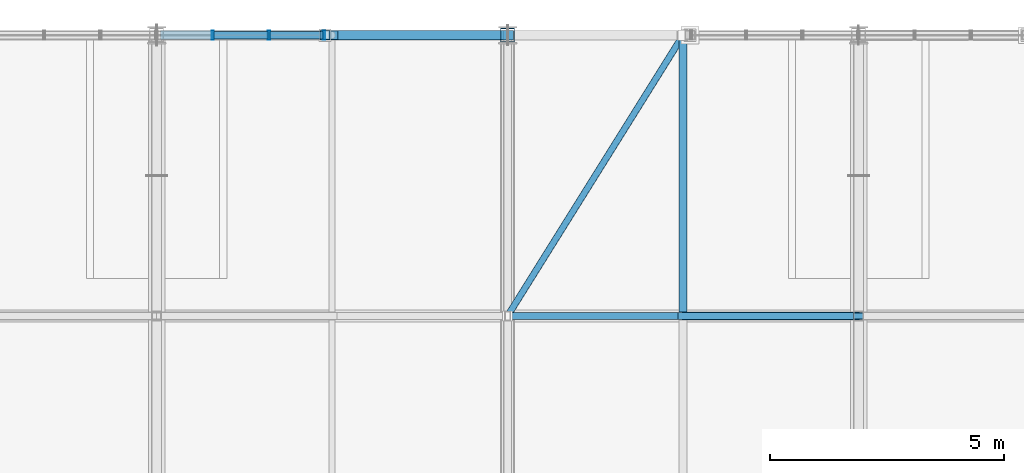
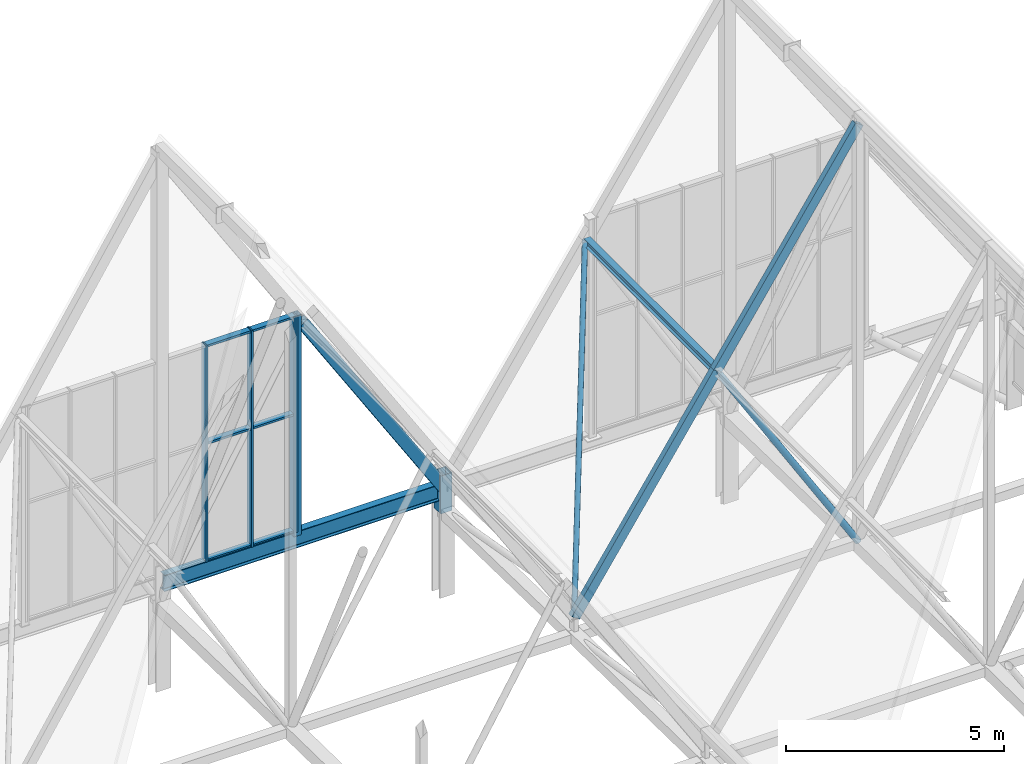
# One storey, part 236 of 324: 16 members, 2 beams, 1 element without a shape of its own.
"""IFC4 building model written with IfcOpenShell, lengths in metres."""

from ifc_helpers import new_model, si_unit, direction, frame, origin, origin_2d, place, context, subcontext, project, spatial, hollow_rectangle, hollow_circle, i_section, extrude, material, layer, layer_set, material_profile, profile_set, type_object, element, aggregate, save


model = new_model("IFC4")

# Units and contexts
model_context = context("Model", 3, precision=1e-05, world=origin(), true_north=direction((0.0, 1.0)))
body_context = subcontext(model_context, "Body", "Model", "MODEL_VIEW")
ifc_project = project(units=[si_unit("LENGTHUNIT", "METRE"), si_unit("AREAUNIT", "SQUARE_METRE"), si_unit("VOLUMEUNIT", "CUBIC_METRE"), si_unit("PLANEANGLEUNIT", "RADIAN"), si_unit("MASSUNIT", "GRAM", prefix="KILO")], contexts=[model_context])

# Site, building, storey
site_placement = place(None, origin())
site = spatial("IfcSite", under=ifc_project, at=site_placement, CompositionType="ELEMENT")
building_placement = place(site_placement, origin())
building = spatial("IfcBuilding", under=site, at=building_placement, Name="Solvenia Promenade Tram Depot", CompositionType="ELEMENT")
storey_placement = place(building_placement, frame((0.0, 0.0, 4.5)))
storey = spatial("IfcBuildingStorey", under=building, at=storey_placement, Name="L01", CompositionType="ELEMENT", Elevation=4.5)

# Curtain wall, members
ifc_material_1 = material(Name="Anodized aluminium AW-6063 T6", Category="aluminium")
ifc_layer = layer(ifc_material_1, 0.14990234375, Name="Anodized aluminium AW-6063 T6", Category="aluminium")
ifc_layer_set = layer_set([ifc_layer], Name="Anodized aluminium AW-6063 T6")
curtain_wall_type = type_object("IfcCurtainWallType", Name="CW-Gable-1200", PredefinedType="NOTDEFINED", material=ifc_layer_set)
curtain_wall_placement = place(storey_placement, origin())
curtain_wall = element("IfcCurtainWall", 1, at=curtain_wall_placement, inside=storey, type_object=curtain_wall_type, Name="North Zigzag Gable 09 Peak Glazing", PredefinedType="NOTDEFINED")
ifc_material_profile_1 = material_profile(ifc_material_1, hollow_rectangle(XDim=0.199951171875, YDim=0.048095703125, WallThickness=0.00390625, at=origin_2d()), Name="ALU-M3", Category="aluminium")
ifc_profile_set_1 = profile_set([ifc_material_profile_1], Name="Anodized aluminium AW-6063 T6")
member_type_1 = type_object("IfcMemberType", Name="CWM-Mullion-3", PredefinedType="MULLION", material=ifc_profile_set_1)
member_1_placement = place(storey_placement, frame((128.699951171875, 126.0, 3.10009765625), z_axis=(0.0, 0.0, 1.0), x_axis=(0.0, 1.0, 0.0)))
member_1 = element("IfcMember", 2, at=member_1_placement, type_object=member_type_1, Name="CW-3 mullion 5", PredefinedType="MULLION", context=body_context, shape_type="SweptSolid", body=[
    extrude(hollow_rectangle(XDim=0.199951171875, YDim=0.048095703125, WallThickness=0.00390625, at=origin_2d()), origin(), (0.0, 0.0, 1.0), 6.0498046875),
])
member_2_placement = place(storey_placement, frame((129.89990234375, 126.0, 3.10009765625), z_axis=(0.0, 0.0, 1.0), x_axis=(0.0, 1.0, 0.0)))
member_2 = element("IfcMember", 3, at=member_2_placement, type_object=member_type_1, Name="CW-3 mullion 6", PredefinedType="MULLION", context=body_context, shape_type="SweptSolid", body=[
    extrude(hollow_rectangle(XDim=0.199951171875, YDim=0.048095703125, WallThickness=0.00390625, at=origin_2d()), origin(), (0.0, 0.0, 1.0), 6.0498046875),
])
member_3_placement = place(storey_placement, frame((131.075927734375, 126.0, 3.10009765625), z_axis=(0.0, 0.0, 1.0), x_axis=(0.0, 1.0, 0.0)))
member_3 = element("IfcMember", 4, at=member_3_placement, type_object=member_type_1, Name="CW-3 mullion 7", PredefinedType="MULLION", context=body_context, shape_type="SweptSolid", body=[
    extrude(hollow_rectangle(XDim=0.199951171875, YDim=0.048095703125, WallThickness=0.00390625, at=origin_2d()), origin(), (0.0, 0.0, 1.0), 6.0498046875),
])
ifc_material_profile_2 = material_profile(ifc_material_1, hollow_rectangle(XDim=0.159912109375, YDim=0.05810546875, WallThickness=0.00390625, at=origin_2d()), Name="ALU-T3", Category="aluminium")
ifc_profile_set_2 = profile_set([ifc_material_profile_2], Name="Anodized aluminium AW-6063 T6")
member_type_2 = type_object("IfcMemberType", Name="CWT-Transom-3", PredefinedType="USERDEFINED", material=ifc_profile_set_2)
member_4_placement = place(storey_placement, frame((128.72412109375, 126.0, 3.12890625), z_axis=(1.0, 0.0, 0.0), x_axis=(0.0, 1.0, 0.0)))
member_4 = element("IfcMember", 5, at=member_4_placement, type_object=member_type_2, Name="CW-3 transom 5.1", ObjectType="TRANSOM", PredefinedType="USERDEFINED", context=body_context, shape_type="SweptSolid", body=[
    extrude(hollow_rectangle(XDim=0.159912109375, YDim=0.05810546875, WallThickness=0.00390625, at=origin_2d()), origin(), (0.0, 0.0, 1.0), 1.15185546875),
])
member_5_placement = place(storey_placement, frame((128.72412109375, 126.0, 6.39990234375), z_axis=(1.0, 0.0, 0.0), x_axis=(0.0, 1.0, 0.0)))
member_5 = element("IfcMember", 6, at=member_5_placement, type_object=member_type_2, Name="CW-3 transom 5.2", ObjectType="TRANSOM", PredefinedType="USERDEFINED", context=body_context, shape_type="SweptSolid", body=[
    extrude(hollow_rectangle(XDim=0.159912109375, YDim=0.05810546875, WallThickness=0.00390625, at=origin_2d()), origin(), (0.0, 0.0, 1.0), 1.15185546875),
])
member_6_placement = place(storey_placement, frame((128.72412109375, 126.0, 9.12109375), z_axis=(1.0, 0.0, 0.0), x_axis=(0.0, 1.0, 0.0)))
member_6 = element("IfcMember", 7, at=member_6_placement, type_object=member_type_2, Name="CW-3 transom 5.3", ObjectType="TRANSOM", PredefinedType="USERDEFINED", context=body_context, shape_type="SweptSolid", body=[
    extrude(hollow_rectangle(XDim=0.159912109375, YDim=0.05810546875, WallThickness=0.00390625, at=origin_2d()), origin(), (0.0, 0.0, 1.0), 1.15185546875),
])
member_7_placement = place(storey_placement, frame((129.924072265625, 126.0, 3.12890625), z_axis=(1.0, 0.0, 0.0), x_axis=(0.0, 1.0, 0.0)))
member_7 = element("IfcMember", 8, at=member_7_placement, type_object=member_type_2, Name="CW-3 transom 6.1", ObjectType="TRANSOM", PredefinedType="USERDEFINED", context=body_context, shape_type="SweptSolid", body=[
    extrude(hollow_rectangle(XDim=0.159912109375, YDim=0.05810546875, WallThickness=0.00390625, at=origin_2d()), origin(), (0.0, 0.0, 1.0), 1.1279296875),
])
member_8_placement = place(storey_placement, frame((129.924072265625, 126.0, 6.39990234375), z_axis=(1.0, 0.0, 0.0), x_axis=(0.0, 1.0, 0.0)))
member_8 = element("IfcMember", 9, at=member_8_placement, type_object=member_type_2, Name="CW-3 transom 6.2", ObjectType="TRANSOM", PredefinedType="USERDEFINED", context=body_context, shape_type="SweptSolid", body=[
    extrude(hollow_rectangle(XDim=0.159912109375, YDim=0.05810546875, WallThickness=0.00390625, at=origin_2d()), origin(), (0.0, 0.0, 1.0), 1.1279296875),
])
member_9_placement = place(storey_placement, frame((129.924072265625, 126.0, 9.12109375), z_axis=(1.0, 0.0, 0.0), x_axis=(0.0, 1.0, 0.0)))
member_9 = element("IfcMember", 10, at=member_9_placement, type_object=member_type_2, Name="CW-3 transom 6.3", ObjectType="TRANSOM", PredefinedType="USERDEFINED", context=body_context, shape_type="SweptSolid", body=[
    extrude(hollow_rectangle(XDim=0.159912109375, YDim=0.05810546875, WallThickness=0.00390625, at=origin_2d()), origin(), (0.0, 0.0, 1.0), 1.1279296875),
])
aggregate(curtain_wall, [member_1, member_2, member_3, member_4, member_5, member_6, member_7, member_8, member_9])

# Members
ifc_material_2 = material(Name="Structural steel ASTM A500 Gr. C", Category="steel")
ifc_material_profile_3 = material_profile(ifc_material_2, hollow_rectangle(XDim=0.14990234375, YDim=0.25, WallThickness=0.010009765625, at=origin_2d()), Name="HSS250x150x10", Category="steel")
ifc_profile_set_3 = profile_set([ifc_material_profile_3], Name="Structural steel ASTM A500 Gr. C")
member_type_3 = type_object("IfcMemberType", Name="Chord-HSS250x150x10", PredefinedType="CHORD", material=ifc_profile_set_3)
for number, where, z_axis, x_axis, name in (
    (11, (135.0, 120.0, 2.95703125), (0.557276274528, 0.0, 0.830327136644), (0.0, 1.0, 0.0), "Zigzag Gable 10 West Lower Rafter"),
    (12, (138.75, 120.0, 8.54443359375), (0.557259486914, 0.0, 0.83033840345), (0.0, 1.0, 0.0), "Zigzag Gable 10 West Upper Rafter"),
):
    element("IfcMember", number, at=place(storey_placement, frame(where, z_axis=z_axis, x_axis=x_axis)), inside=storey, type_object=member_type_3, Name=name, PredefinedType="CHORD", context=body_context, shape_type="SweptSolid", body=[
        extrude(hollow_rectangle(XDim=0.14990234375, YDim=0.25, WallThickness=0.010009765625, at=origin_2d()), origin(), (0.0, 0.0, 1.0), 6.729248046875),
    ])
ifc_material_profile_4 = material_profile(ifc_material_2, hollow_rectangle(XDim=0.199951171875, YDim=0.300048828125, WallThickness=0.012451171875, at=origin_2d()), Name="HSS300x200x12.5", Category="steel")
ifc_profile_set_4 = profile_set([ifc_material_profile_4], Name="Structural steel ASTM A500 Gr. C")
member_type_4 = type_object("IfcMemberType", Name="Chord-HSS300x200x12", PredefinedType="CHORD", material=ifc_profile_set_4)
member_10_placement = place(storey_placement, frame((131.25, 126.0, 8.8876953125), z_axis=(0.533506771487, 0.0, -0.845795793781), x_axis=(0.0, 1.0, 0.0)))
element("IfcMember", 13, at=member_10_placement, inside=storey, type_object=member_type_4, Name="Zigzag Gable 09 East Lower Rafter", PredefinedType="CHORD", context=body_context, shape_type="SweptSolid", body=[
    extrude(hollow_rectangle(XDim=0.199951171875, YDim=0.300048828125, WallThickness=0.012451171875, at=origin_2d()), origin(), (0.0, 0.0, 1.0), 7.029052734375),
])
ifc_material_profile_5 = material_profile(ifc_material_2, hollow_rectangle(XDim=0.300048828125, YDim=0.300048828125, WallThickness=0.012451171875, at=origin_2d()), Name="HSS300x300x12.5", Category="steel")
ifc_profile_set_5 = profile_set([ifc_material_profile_5], Name="Structural steel ASTM A500 Gr. C")
member_type_5 = type_object("IfcMemberType", Name="Chord-HSS300x300x12", PredefinedType="CHORD", material=ifc_profile_set_5)
member_11_placement = place(storey_placement, frame((135.0, 126.0, 2.320068359375), z_axis=(0.0, 0.0, 1.0), x_axis=(1.0, 0.0, 0.0)))
element("IfcMember", 14, at=member_11_placement, inside=storey, type_object=member_type_5, Name="Arched Truss T19 N End Post", PredefinedType="CHORD", context=body_context, shape_type="SweptSolid", body=[
    extrude(hollow_rectangle(XDim=0.300048828125, YDim=0.300048828125, WallThickness=0.012451171875, at=origin_2d()), origin(), (0.0, 0.0, 1.0), 1.059814453125),
])
ifc_material_profile_6 = material_profile(ifc_material_2, hollow_rectangle(XDim=0.199951171875, YDim=0.199951171875, WallThickness=0.010009765625, at=origin_2d()), Name="HSS200x200x10", Category="steel")
ifc_profile_set_6 = profile_set([ifc_material_profile_6], Name="Structural steel ASTM A500 Gr. C")
member_type_6 = type_object("IfcMemberType", Name="Post-HSS200x200x10", PredefinedType="POST", material=ifc_profile_set_6)
member_12_placement = place(storey_placement, frame((131.10009765625, 126.0, 3.0), z_axis=(0.0, 0.0, 1.0), x_axis=(1.0, 0.0, 0.0)))
element("IfcMember", 15, at=member_12_placement, inside=storey, type_object=member_type_6, Name="Gable Curtain-Wall Steel Jamb Post 034", PredefinedType="POST", context=body_context, shape_type="SweptSolid", body=[
    extrude(hollow_rectangle(XDim=0.199951171875, YDim=0.199951171875, WallThickness=0.010009765625, at=origin_2d()), origin(), (0.0, 0.0, 1.0), 6.14990234375),
])

# Beam
ifc_material_3 = material(Name="Structural steel ASTM A992 Gr. 50", Category="steel")
ifc_material_profile_7 = material_profile(ifc_material_3, i_section(OverallWidth=0.1650390625, OverallDepth=0.200927734375, WebThickness=0.006103515625, FlangeThickness=0.01025390625, FilletRadius=0.010009765625, at=origin_2d()), Name="W200x36", Category="steel")
ifc_profile_set_7 = profile_set([ifc_material_profile_7], Name="Structural steel ASTM A992 Gr. 50")
beam_type_1 = type_object("IfcBeamType", Name="Purlin-W200x36", PredefinedType="USERDEFINED", material=ifc_profile_set_7)
beam_1_placement = place(storey_placement, frame((138.75, 120.0849609375, 8.551025390625), z_axis=(0.0, 1.0, 0.0), x_axis=(-1.0, 0.0, 0.0)))
element("IfcBeam", 16, at=beam_1_placement, inside=storey, type_object=beam_type_1, Name="Gable Roof Purlin W-0199", ObjectType="PURLIN", PredefinedType="USERDEFINED", context=body_context, shape_type="SweptSolid", body=[
    extrude(i_section(OverallWidth=0.1650390625, OverallDepth=0.200927734375, WebThickness=0.006103515625, FlangeThickness=0.01025390625, FilletRadius=0.010009765625, at=origin_2d()), origin(), (0.0, 0.0, 1.0), 5.830078125),
])

# Member
ifc_material_profile_8 = material_profile(ifc_material_2, hollow_circle(Radius=0.06982421875, WallThickness=0.00634765625, at=origin_2d()), Name="CHS139.7x6.3", Category="steel")
ifc_profile_set_8 = profile_set([ifc_material_profile_8], Name="Structural steel ASTM A500 Gr. C")
member_type_7 = type_object("IfcMemberType", Name="RoofBrace-CHS140x6", PredefinedType="BRACE", material=ifc_profile_set_8)
member_13_placement = place(storey_placement, frame((135.0, 120.0, 2.95703125), z_axis=(0.415944359548, 0.665510975277, 0.619746263842), x_axis=(-0.847998304005, 0.529998940003, 0.0)))
element("IfcMember", 17, at=member_13_placement, inside=storey, type_object=member_type_7, Name="Roof Plan Wind Brace 020", PredefinedType="BRACE", context=body_context, shape_type="SweptSolid", body=[
    extrude(hollow_circle(Radius=0.06982421875, WallThickness=0.00634765625, at=origin_2d()), origin(), (0.0, 0.0, 1.0), 9.015625),
])

# Beam
ifc_material_profile_9 = material_profile(ifc_material_3, i_section(OverallWidth=0.19091796875, OverallDepth=0.4599609375, WebThickness=0.010009765625, FlangeThickness=0.01611328125, FilletRadius=0.012939453125, at=origin_2d()), Name="W460x82", Category="steel")
ifc_profile_set_9 = profile_set([ifc_material_profile_9], Name="Structural steel ASTM A992 Gr. 50")
beam_type_2 = type_object("IfcBeamType", Name="Spandrel-W460x82", PredefinedType="SPANDREL", material=ifc_profile_set_9)
beam_2_placement = place(storey_placement, frame((127.5849609375, 126.0, 2.889892578125), z_axis=(1.0, 0.0, 0.0), x_axis=(0.0, 1.0, 0.0)))
element("IfcBeam", 18, at=beam_2_placement, inside=storey, type_object=beam_type_2, Name="North Shed Eave Girder BM-L01-0985", PredefinedType="SPANDREL", context=body_context, shape_type="SweptSolid", body=[
    extrude(i_section(OverallWidth=0.19091796875, OverallDepth=0.4599609375, WebThickness=0.010009765625, FlangeThickness=0.01611328125, FilletRadius=0.012939453125, at=origin_2d()), origin(), (0.0, 0.0, 1.0), 7.330078125),
])

# Member
ifc_material_profile_10 = material_profile(ifc_material_2, hollow_circle(Radius=0.084228515625, WallThickness=0.008056640625, at=origin_2d()), Name="CHS168.3x8", Category="steel")
ifc_profile_set_10 = profile_set([ifc_material_profile_10], Name="Structural steel ASTM A500 Gr. C")
member_type_8 = type_object("IfcMemberType", Name="WebDiag-CHS168x8", PredefinedType="BRACE", material=ifc_profile_set_10)
member_14_placement = place(storey_placement, frame((142.5, 120.0, 2.446044921875), z_axis=(-0.523808186258, 0.0, 0.851836242484), x_axis=(0.0, -1.0, 0.0)))
element("IfcMember", 19, at=member_14_placement, inside=storey, type_object=member_type_8, Name="Zigzag Gable 10 West Knee Strut", PredefinedType="BRACE", context=body_context, shape_type="SweptSolid", body=[
    extrude(hollow_circle(Radius=0.084228515625, WallThickness=0.008056640625, at=origin_2d()), origin(), (0.0, 0.0, 1.0), 7.1591796875),
])

save(model, "model.ifc")
